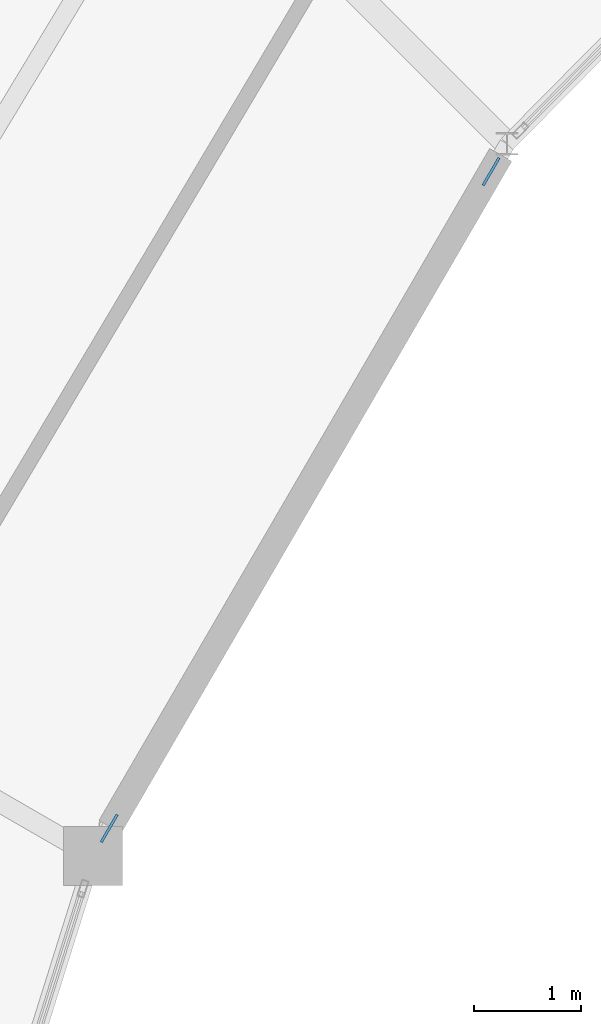
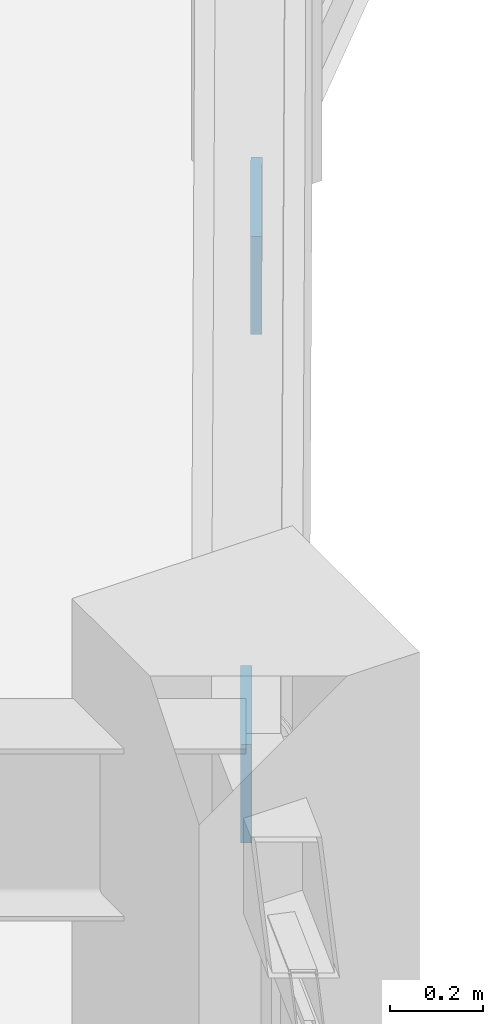
# One storey, part 133 of 157: 2 plates.
"""IFC4 building model written with IfcOpenShell, lengths in metres."""

from ifc_helpers import new_model, si_unit, direction, frame, origin, origin_2d, place, context, subcontext, project, spatial, rectangle, extrude, material, layer, layer_set, type_object, element, save


model = new_model("IFC4")

# Units and contexts
model_context = context("Model", 3, precision=1e-05, world=origin(), true_north=direction((0.0, 1.0)))
body_context = subcontext(model_context, "Body", "Model", "MODEL_VIEW")
ifc_project = project(units=[si_unit("LENGTHUNIT", "METRE"), si_unit("AREAUNIT", "SQUARE_METRE"), si_unit("VOLUMEUNIT", "CUBIC_METRE"), si_unit("PLANEANGLEUNIT", "RADIAN"), si_unit("MASSUNIT", "GRAM", prefix="KILO")], contexts=[model_context])

# Site, building, storey
site_placement = place(None, origin())
site = spatial("IfcSite", under=ifc_project, at=site_placement, CompositionType="ELEMENT")
building_placement = place(site_placement, origin())
building = spatial("IfcBuilding", under=site, at=building_placement, Name="Karori Crest Natural Sciences Institute", CompositionType="ELEMENT")
storey_placement = place(building_placement, frame((0.0, 0.0, 13.300048828125)))
storey = spatial("IfcBuildingStorey", under=building, at=storey_placement, Name="L03", CompositionType="ELEMENT", Elevation=13.300048828125)

# Plates
ifc_material = material(Name="Structural steel AS/NZS 3679.1 Grade 350", Category="steel")
ifc_layer = layer(ifc_material, 0.02490234375, Name="Structural steel AS/NZS 3679.1 Grade 350")
ifc_layer_set = layer_set([ifc_layer], Name="Structural steel AS/NZS 3679.1 Grade 350")
plate_type = type_object("IfcPlateType", Name="PLT-06", PredefinedType="SHEET", material=ifc_layer_set)
for number, where, z_axis, x_axis, name in (
    (1, (48.995849609375, 72.409423828125, -0.11962890625), (0.0, 0.0, 1.0), (0.502651840669, 0.86448893982, 0.0), "Brace gusset plate EP-0035"),
    (2, (45.419921875, 66.25927734375, 3.5205078125), (0.0, 0.0, 1.0), (0.502651840669, 0.86448893982, 0.0), "Brace gusset plate EP-0036"),
):
    element("IfcPlate", number, at=place(storey_placement, frame(where, z_axis=z_axis, x_axis=x_axis)), inside=storey, type_object=plate_type, Name=name, PredefinedType="SHEET", context=body_context, shape_type="SweptSolid", body=[
        extrude(rectangle(XDim=0.299072265625, YDim=0.02490234375, at=origin_2d()), origin(), (0.0, 0.0, 1.0), 0.259033203125),
    ])

save(model, "model.ifc")
